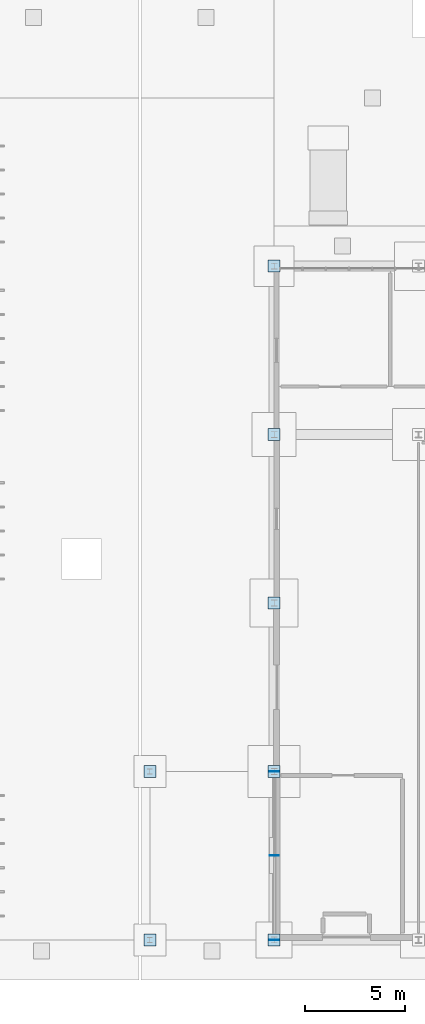
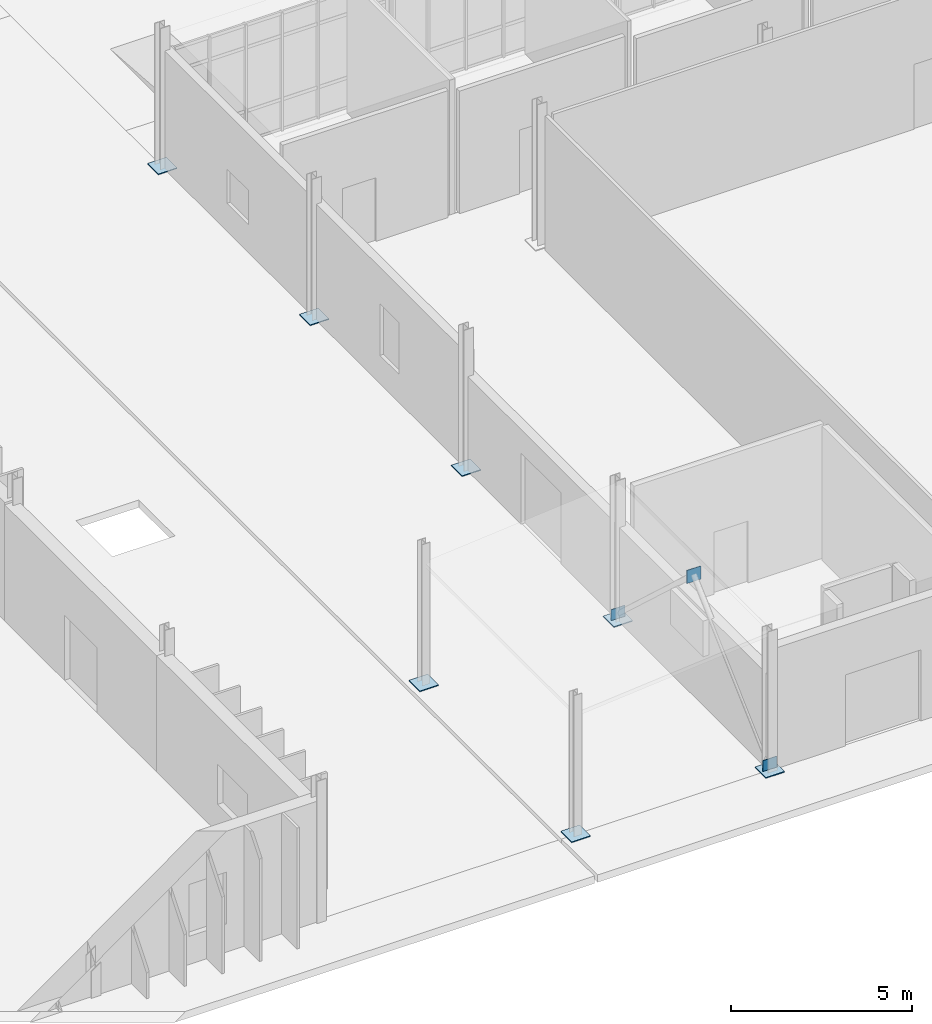
# One storey, part 73 of 118: 10 plates.
"""IFC4 building model written with IfcOpenShell, lengths in metres."""

from ifc_helpers import new_model, si_unit, direction, frame, origin, origin_2d, place, context, subcontext, project, spatial, rectangle, extrude, material, layer, layer_set, type_object, element, save


model = new_model("IFC4")

# Units and contexts
model_context = context("Model", 3, precision=1e-05, world=origin(), true_north=direction((0.0, 1.0)))
body_context = subcontext(model_context, "Body", "Model", "MODEL_VIEW")
ifc_project = project(units=[si_unit("LENGTHUNIT", "METRE"), si_unit("AREAUNIT", "SQUARE_METRE"), si_unit("VOLUMEUNIT", "CUBIC_METRE"), si_unit("PLANEANGLEUNIT", "RADIAN"), si_unit("MASSUNIT", "GRAM", prefix="KILO")], contexts=[model_context])

# Site, building, storey
site_placement = place(None, origin())
site = spatial("IfcSite", under=ifc_project, at=site_placement, CompositionType="ELEMENT")
building_placement = place(site_placement, origin())
building = spatial("IfcBuilding", under=site, at=building_placement, Name="Qelthora Terrace Specialist Clinic", CompositionType="ELEMENT")
storey_placement = place(building_placement, origin())
storey = spatial("IfcBuildingStorey", under=building, at=storey_placement, Name="L00", CompositionType="ELEMENT", Elevation=0.0)

# Plates
ifc_material = material(Name="Steel S355", Category="steel")
ifc_layer_1 = layer(ifc_material, 0.030029296875)
ifc_layer_set_1 = layer_set([ifc_layer_1], Name="Steel S355")
plate_type_1 = type_object("IfcPlateType", Name="PLT-BASE-600X600X30", PredefinedType="USERDEFINED", material=ifc_layer_set_1)
for number, where, z_axis, x_axis, name in (
    (1, (51.39990234375, 0.0, 0.0), (0.0, 0.0, 1.0), (1.0, 0.0, 0.0), "Steel column base plate BPLT-067"),
    (2, (51.39990234375, 8.39990234375, 0.0), (0.0, 0.0, 1.0), (1.0, 0.0, 0.0), "Steel column base plate BPLT-068"),
    (3, (57.60009765625, 0.0, 0.0), (0.0, 0.0, 1.0), (1.0, 0.0, 0.0), "Steel column base plate BPLT-071"),
    (4, (57.60009765625, 8.39990234375, 0.0), (0.0, 0.0, 1.0), (1.0, 0.0, 0.0), "Steel column base plate BPLT-072"),
    (5, (57.60009765625, 16.800048828125, 0.0), (0.0, 0.0, 1.0), (1.0, 0.0, 0.0), "Steel column base plate BPLT-073"),
    (6, (57.60009765625, 25.199951171875, 0.0), (0.0, 0.0, 1.0), (1.0, 0.0, 0.0), "Steel column base plate BPLT-074"),
    (7, (57.60009765625, 33.60009765625, 0.0), (0.0, 0.0, 1.0), (1.0, 0.0, 0.0), "Steel column base plate BPLT-075"),
):
    element("IfcPlate", number, at=place(storey_placement, frame(where, z_axis=z_axis, x_axis=x_axis)), inside=storey, type_object=plate_type_1, Name=name, ObjectType="GUSSET PLATE", PredefinedType="USERDEFINED", context=body_context, shape_type="SweptSolid", body=[
        extrude(rectangle(XDim=0.60009765625, YDim=0.60009765625, at=origin_2d()), origin(), (0.0, 0.0, 1.0), 0.030029296875),
    ])
ifc_layer_2 = layer(ifc_material, 0.02001953125)
ifc_layer_set_2 = layer_set([ifc_layer_2], Name="Steel S355")
plate_type_2 = type_object("IfcPlateType", Name="PLT-GUS-480X480X20", PredefinedType="USERDEFINED", material=ifc_layer_set_2)
for number, where, z_axis, x_axis, name in (
    (8, (57.60009765625, 0.0, -0.0400390625), (0.0, 0.0, 1.0), (1.0, 0.0, 0.0), "Steel truss node plate GPLT-0176"),
    (9, (57.60009765625, 4.199951171875, 3.830078125), (0.0, 0.0, 1.0), (1.0, 0.0, 0.0), "Steel truss node plate GPLT-0177"),
    (10, (57.60009765625, 8.39990234375, -0.0400390625), (0.0, 0.0, 1.0), (1.0, 0.0, 0.0), "Steel truss node plate GPLT-0178"),
):
    element("IfcPlate", number, at=place(storey_placement, frame(where, z_axis=z_axis, x_axis=x_axis)), inside=storey, type_object=plate_type_2, Name=name, ObjectType="GUSSET PLATE", PredefinedType="USERDEFINED", context=body_context, shape_type="SweptSolid", body=[
        extrude(rectangle(XDim=0.43994140625, YDim=0.02001953125, at=origin_2d()), origin(), (0.0, 0.0, 1.0), 0.43994140625),
    ])

save(model, "model.ifc")
